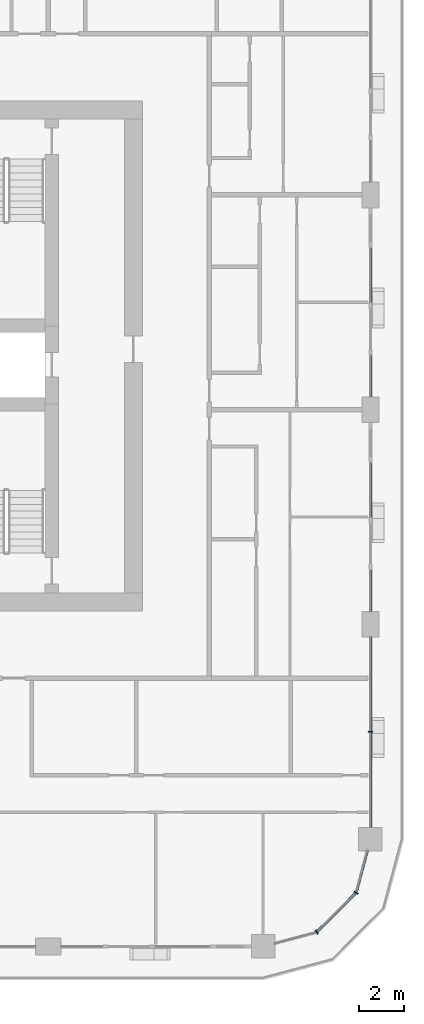
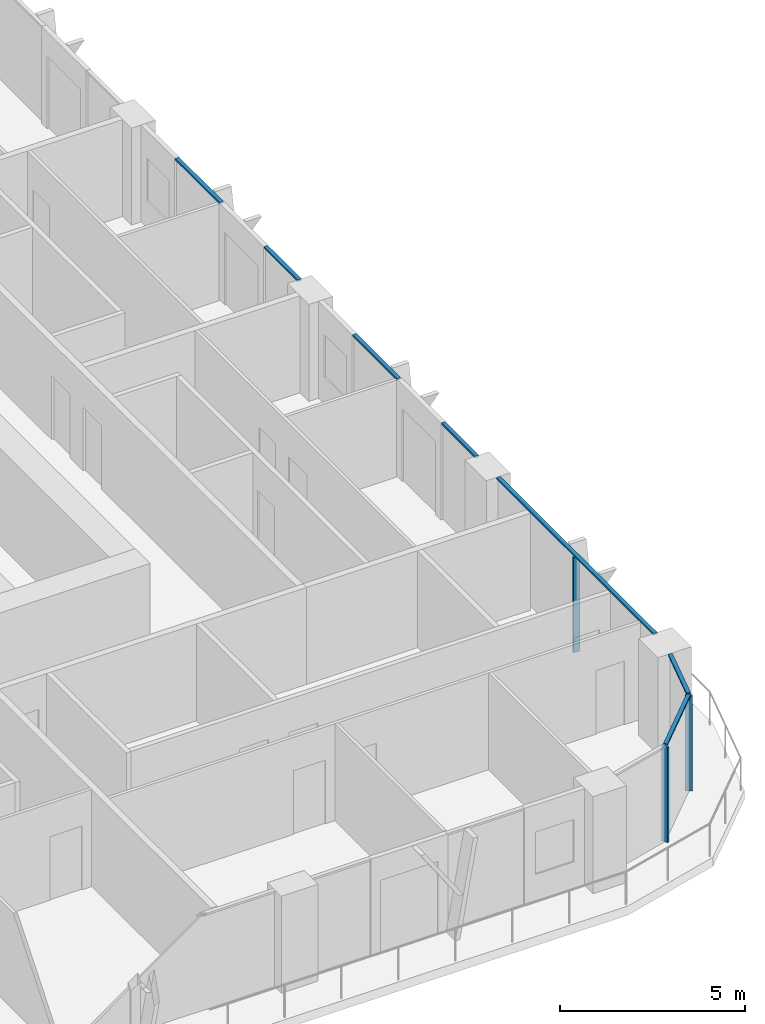
# One storey, part 4 of 22: 10 members, 4 elements without a shape of their own.
"""IFC4 building model written with IfcOpenShell, lengths in metres."""

from ifc_helpers import new_model, si_unit, direction, frame, origin, origin_2d, place, context, subcontext, project, spatial, rectangle, extrude, material, layer, layer_set, material_profile, profile_set, type_object, element, aggregate, save


model = new_model("IFC4")

# Units and contexts
model_context = context("Model", 3, precision=1e-05, world=origin(), true_north=direction((0.0, 1.0)))
body_context = subcontext(model_context, "Body", "Model", "MODEL_VIEW")
ifc_project = project(units=[si_unit("LENGTHUNIT", "METRE"), si_unit("AREAUNIT", "SQUARE_METRE"), si_unit("VOLUMEUNIT", "CUBIC_METRE"), si_unit("PLANEANGLEUNIT", "RADIAN"), si_unit("MASSUNIT", "GRAM", prefix="KILO")], contexts=[model_context])

# Site, building, storey
site_placement = place(None, origin())
site = spatial("IfcSite", under=ifc_project, at=site_placement, CompositionType="ELEMENT")
building_placement = place(site_placement, origin())
building = spatial("IfcBuilding", under=site, at=building_placement, Name="Madar Terraces", CompositionType="ELEMENT")
storey_placement = place(building_placement, frame((0.0, 0.0, 149.0)))
storey = spatial("IfcBuildingStorey", under=building, at=storey_placement, Name="L38", CompositionType="ELEMENT", Elevation=149.0)

# Curtain wall, member
ifc_material_1 = material(Name="Glass, ceramic frit dark grey, with black aluminium frame", Category="aluminium")
ifc_layer = layer(ifc_material_1, 0.199951171875)
ifc_layer_set = layer_set([ifc_layer], Name="Facade curtain wall, fritted glass")
curtain_wall_type = type_object("IfcCurtainWallType", Name="Facade curtain wall, fritted glass", PredefinedType="NOTDEFINED", material=ifc_layer_set)
curtain_wall_1_placement = place(storey_placement, origin())
curtain_wall_1 = element("IfcCurtainWall", 1, at=curtain_wall_1_placement, inside=storey, type_object=curtain_wall_type, Name="Outer skin curtain wall east bay 1", PredefinedType="NOTDEFINED")
ifc_material_2 = material(Name="Aluminium, black anodised", Category="aluminium")
ifc_material_profile_1 = material_profile(ifc_material_2, rectangle(XDim=0.199951171875, YDim=0.06005859375, at=origin_2d()), Name="Facade mullion 60x200")
ifc_profile_set_1 = profile_set([ifc_material_profile_1], Name="Aluminium, black anodised")
member_type_1 = type_object("IfcMemberType", Name="Facade mullion 60x200", PredefinedType="MULLION", material=ifc_profile_set_1)
member_1_placement = place(storey_placement, frame((57.60009765625, 9.60009765625, 0.0), z_axis=(0.0, 0.0, 1.0), x_axis=(-1.0, 0.0, 0.0)))
member_1 = element("IfcMember", 2, at=member_1_placement, type_object=member_type_1, Name="Mullion 1", PredefinedType="MULLION", context=body_context, shape_type="SweptSolid", body=[
    extrude(rectangle(XDim=0.199951171875, YDim=0.06005859375, at=origin_2d()), origin(), (0.0, 0.0, 1.0), 3.139892578125),
])

# Curtain wall, members
curtain_wall_2_placement = place(storey_placement, origin())
curtain_wall_2 = element("IfcCurtainWall", 3, at=curtain_wall_2_placement, inside=storey, type_object=curtain_wall_type, Name="Outer skin curtain wall south-east corner", PredefinedType="NOTDEFINED")
member_2_placement = place(storey_placement, frame((55.199951171875, 0.64306640625, 0.0), z_axis=(0.0, 0.0, 1.0), x_axis=(-0.499999989586, 0.866025409797, 0.0)))
member_2 = element("IfcMember", 4, at=member_2_placement, type_object=member_type_1, Name="Mullion 1", PredefinedType="MULLION", context=body_context, shape_type="SweptSolid", body=[
    extrude(rectangle(XDim=0.199951171875, YDim=0.06005859375, at=origin_2d()), origin(), (0.0, 0.0, 1.0), 3.139892578125),
])
member_3_placement = place(storey_placement, frame((56.95703125, 2.39990234375, 0.0), z_axis=(0.0, 0.0, 1.0), x_axis=(-0.866025409797, 0.499999989586, 0.0)))
member_3 = element("IfcMember", 5, at=member_3_placement, type_object=member_type_1, Name="Mullion 2", PredefinedType="MULLION", context=body_context, shape_type="SweptSolid", body=[
    extrude(rectangle(XDim=0.199951171875, YDim=0.06005859375, at=origin_2d()), origin(), (0.0, 0.0, 1.0), 3.139892578125),
])

# Member
ifc_material_3 = material(Name="Aluminium, black anodised", Category="aluminium")
ifc_material_profile_2 = material_profile(ifc_material_3, rectangle(XDim=0.1201171875, YDim=0.06005859375, at=origin_2d()), Name="Facade transom 60x120")
ifc_profile_set_2 = profile_set([ifc_material_profile_2], Name="Aluminium, black anodised")
member_type_2 = type_object("IfcMemberType", Name="Facade transom 60x120", PredefinedType="USERDEFINED", material=ifc_profile_set_2)
member_4_placement = place(storey_placement, frame((57.60009765625, 5.324951171875, 3.169921875), z_axis=(0.0, 1.0, 0.0), x_axis=(-1.0, 0.0, 0.0)))
member_4 = element("IfcMember", 6, at=member_4_placement, type_object=member_type_2, Name="Transom 1", ObjectType="TRANSOM", PredefinedType="USERDEFINED", context=body_context, shape_type="SweptSolid", body=[
    extrude(rectangle(XDim=0.1201171875, YDim=0.06005859375, at=origin_2d()), origin(), (0.0, 0.0, 1.0), 8.5),
])

aggregate(curtain_wall_1, [member_1, member_4])

# Curtain wall, members
curtain_wall_3_placement = place(storey_placement, origin())
curtain_wall_3 = element("IfcCurtainWall", 7, at=curtain_wall_3_placement, inside=storey, type_object=curtain_wall_type, Name="Outer skin curtain wall east bay 2", PredefinedType="NOTDEFINED")
member_5_placement = place(storey_placement, frame((57.60009765625, 14.97509765625, 3.169921875), z_axis=(0.0, 1.0, 0.0), x_axis=(-1.0, 0.0, 0.0)))
member_5 = element("IfcMember", 8, at=member_5_placement, type_object=member_type_2, Name="Transom 1", ObjectType="TRANSOM", PredefinedType="USERDEFINED", context=body_context, shape_type="SweptSolid", body=[
    extrude(rectangle(XDim=0.1201171875, YDim=0.06005859375, at=origin_2d()), origin(), (0.0, 0.0, 1.0), 1.824951171875),
])
member_6_placement = place(storey_placement, frame((57.60009765625, 19.199951171875, 3.169921875), z_axis=(0.0, 1.0, 0.0), x_axis=(-1.0, 0.0, 0.0)))
member_6 = element("IfcMember", 9, at=member_6_placement, type_object=member_type_2, Name="Transom 2", ObjectType="TRANSOM", PredefinedType="USERDEFINED", context=body_context, shape_type="SweptSolid", body=[
    extrude(rectangle(XDim=0.1201171875, YDim=0.06005859375, at=origin_2d()), origin(), (0.0, 0.0, 1.0), 2.400146484375),
])
aggregate(curtain_wall_3, [member_5, member_6])

curtain_wall_4_placement = place(storey_placement, origin())
curtain_wall_4 = element("IfcCurtainWall", 10, at=curtain_wall_4_placement, inside=storey, type_object=curtain_wall_type, Name="Outer skin curtain wall east bay 3", PredefinedType="NOTDEFINED")
member_7_placement = place(storey_placement, frame((57.60009765625, 24.574951171875, 3.169921875), z_axis=(0.0, 1.0, 0.0), x_axis=(-1.0, 0.0, 0.0)))
member_7 = element("IfcMember", 11, at=member_7_placement, type_object=member_type_2, Name="Transom 1", ObjectType="TRANSOM", PredefinedType="USERDEFINED", context=body_context, shape_type="SweptSolid", body=[
    extrude(rectangle(XDim=0.1201171875, YDim=0.06005859375, at=origin_2d()), origin(), (0.0, 0.0, 1.0), 1.824951171875),
])
member_8_placement = place(storey_placement, frame((57.60009765625, 28.800048828125, 3.169921875), z_axis=(0.0, 1.0, 0.0), x_axis=(-1.0, 0.0, 0.0)))
member_8 = element("IfcMember", 12, at=member_8_placement, type_object=member_type_2, Name="Transom 2", ObjectType="TRANSOM", PredefinedType="USERDEFINED", context=body_context, shape_type="SweptSolid", body=[
    extrude(rectangle(XDim=0.1201171875, YDim=0.06005859375, at=origin_2d()), origin(), (0.0, 0.0, 1.0), 2.39990234375),
])
aggregate(curtain_wall_4, [member_7, member_8])

# Member
member_9_placement = place(storey_placement, frame((55.22119140625, 0.664306640625, 3.169921875), z_axis=(0.707106781187, 0.707106781187, 0.0), x_axis=(-0.707106781187, 0.707106781187, 0.0)))
member_9 = element("IfcMember", 13, at=member_9_placement, type_object=member_type_2, Name="Transom 2", ObjectType="TRANSOM", PredefinedType="USERDEFINED", context=body_context, shape_type="SweptSolid", body=[
    extrude(rectangle(XDim=0.1201171875, YDim=0.06005859375, at=origin_2d()), origin(), (0.0, 0.0, 1.0), 2.4248046875),
])

member_10_placement = place(storey_placement, frame((56.964599609375, 2.428955078125, 3.169921875), z_axis=(0.258823354654, 0.965924671538, 0.0), x_axis=(-0.965924671538, 0.258823354654, 0.0)))
member_10 = element("IfcMember", 14, at=member_10_placement, type_object=member_type_2, Name="Transom 3", ObjectType="TRANSOM", PredefinedType="USERDEFINED", context=body_context, shape_type="SweptSolid", body=[
    extrude(rectangle(XDim=0.1201171875, YDim=0.06005859375, at=origin_2d()), origin(), (0.0, 0.0, 1.0), 1.9111328125),
])

aggregate(curtain_wall_2, [member_2, member_3, member_9, member_10])

save(model, "model.ifc")
